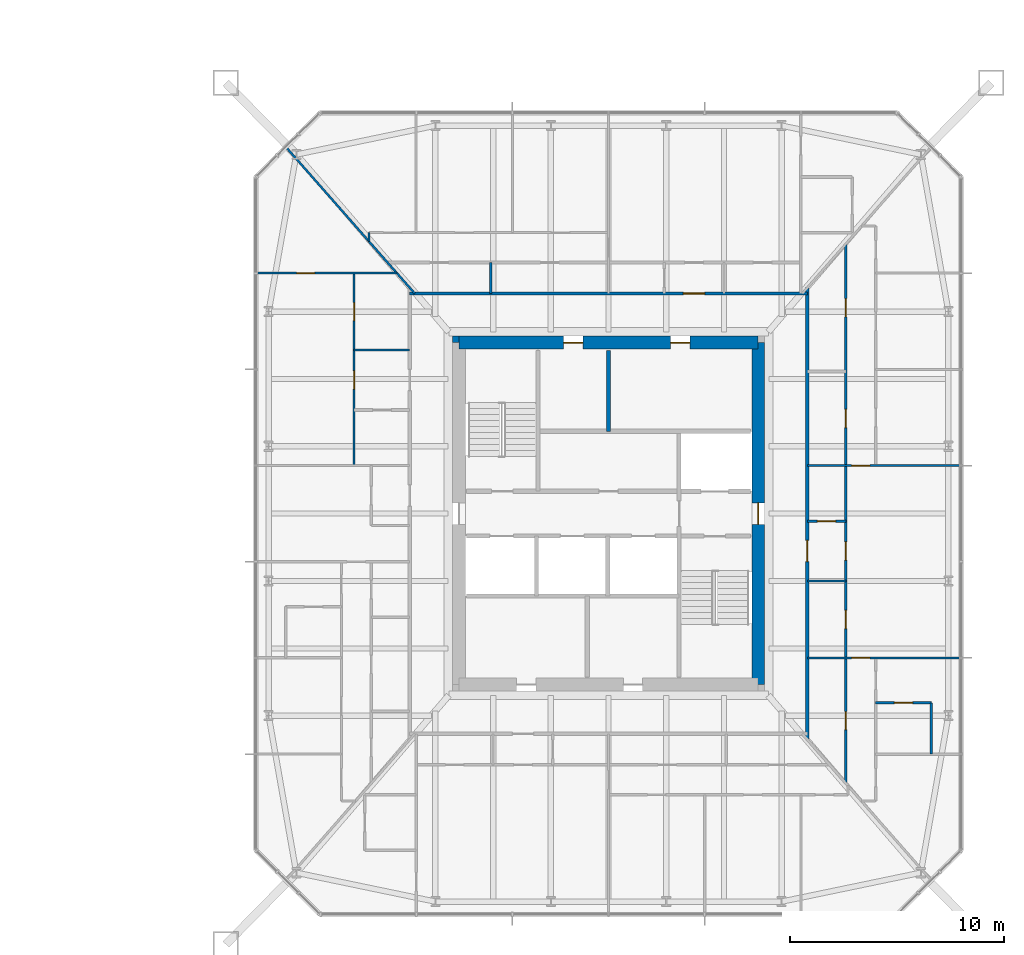
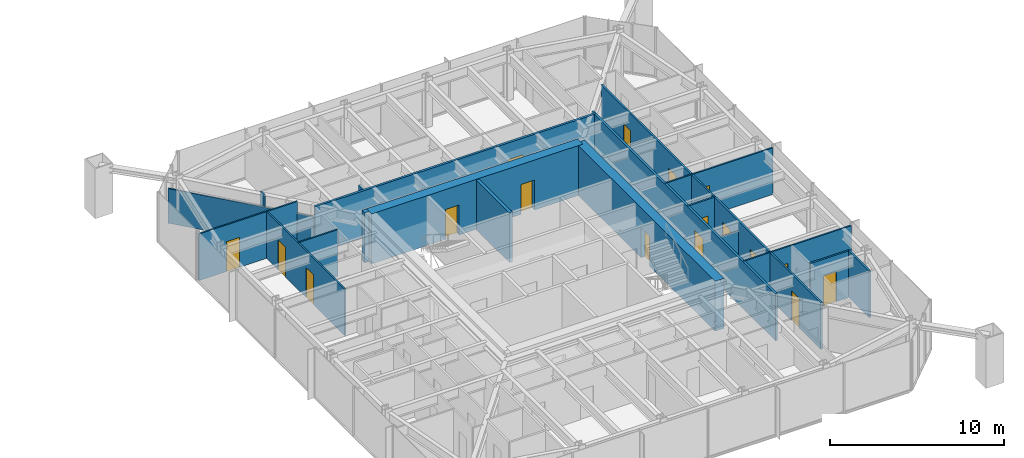
# One storey, part 20 of 26: 19 walls, 17 doors, 17 openings.
"""IFC4 building model written with IfcOpenShell, lengths in metres."""

import ifcopenshell
import ifcopenshell.guid

model = None  # the IFC model being written
_history = None  # IfcOwnerHistory: only IFC2X3 demands one
_inside = {}  # id of a spatial element -> (the spatial element, [elements in it])
_under = {}  # id of a project, library or spatial element -> (it, [spatial elements below it])
_declared = {}  # id of a project -> (the project, [libraries it declares])
_typed = {}  # id of a type object -> (the type object, [elements of that type])
_made_of = {}  # id of a material, layer set ... -> (it, [elements and type objects made of it])


def new_model(schema):
    """Start an empty IFC model of exactly this schema.

    Asked for "IFC4X3", IfcOpenShell would pick the latest addendum, in which some entities
    have other attributes; the version numbers below select the first issue.
    IFC2X3 requires an IfcOwnerHistory on every rooted entity: one is made here for all.
    """
    global model, _history
    if schema == "IFC4X3":
        model = ifcopenshell.file(schema_version=(4, 3, 0, 0))
    else:
        model = ifcopenshell.file(schema=schema)
    _inside.clear()
    _under.clear()
    _declared.clear()
    _typed.clear()
    _made_of.clear()
    _history = None
    if model.schema == "IFC2X3":
        org = make("IfcOrganization", Name="unknown")
        user = make(
            "IfcPersonAndOrganization",
            ThePerson=make("IfcPerson", FamilyName="unknown"),
            TheOrganization=org,
        )
        app = make(
            "IfcApplication",
            ApplicationDeveloper=org,
            Version="unknown",
            ApplicationFullName="unknown",
            ApplicationIdentifier="unknown",
        )
        _history = make(
            "IfcOwnerHistory",
            OwningUser=user,
            OwningApplication=app,
            ChangeAction="ADDED",
            CreationDate=0,
        )
    return model


def make(cls, **values):
    """One entity of the class cls with the attributes given. An attribute that is None is left unset."""
    return model.create_entity(
        cls, **{name: value for name, value in values.items() if value is not None}
    )


def rooted(cls, **values):
    """An entity with a GlobalId (a new one), such as an element, a storey or a relation."""
    return make(cls, GlobalId=ifcopenshell.guid.new(), OwnerHistory=_history, **values)


def si_unit(unit_type, name, prefix=None):
    """IfcSIUnit, for example si_unit("LENGTHUNIT", "METRE", prefix="MILLI")."""
    return make("IfcSIUnit", UnitType=unit_type, Prefix=prefix, Name=name)


def assignment(units):
    """IfcUnitAssignment: the units of a project."""
    return None if units is None else make("IfcUnitAssignment", Units=units)


def point(xyz):
    """IfcCartesianPoint."""
    return None if xyz is None else make("IfcCartesianPoint", Coordinates=xyz)


def direction(xyz):
    """IfcDirection."""
    return None if xyz is None else make("IfcDirection", DirectionRatios=xyz)


def frame(location, z_axis=None, x_axis=None):
    """IfcAxis2Placement3D, a coordinate frame: its origin and axes. An axis left out is left unset."""
    return make(
        "IfcAxis2Placement3D",
        Location=point(location),
        Axis=direction(z_axis),
        RefDirection=direction(x_axis),
    )


def frame_2d(location, x_axis=None):
    """IfcAxis2Placement2D, a coordinate frame in the plane: its origin and x axis."""
    return make(
        "IfcAxis2Placement2D", Location=point(location), RefDirection=direction(x_axis)
    )


def origin():
    """The frame at (0, 0, 0) with its axes left unset."""
    return frame((0.0, 0.0, 0.0))


def place(relative_to, where):
    """IfcLocalPlacement: puts the frame where relative to a parent placement (None: the world)."""
    return make(
        "IfcLocalPlacement", PlacementRelTo=relative_to, RelativePlacement=where
    )


def context(
    kind, dimensions, precision=None, world=None, true_north=None, identifier=None
):
    """IfcGeometricRepresentationContext, for example the 3D "Model" context."""
    return make(
        "IfcGeometricRepresentationContext",
        ContextIdentifier=identifier,
        ContextType=kind,
        CoordinateSpaceDimension=dimensions,
        Precision=precision,
        WorldCoordinateSystem=world,
        TrueNorth=true_north,
    )


def subcontext(parent, identifier, kind, view, scale=None):
    """IfcGeometricRepresentationSubContext, for example "Body" below "Model"."""
    return make(
        "IfcGeometricRepresentationSubContext",
        ContextIdentifier=identifier,
        ContextType=kind,
        ParentContext=parent,
        TargetScale=scale,
        TargetView=view,
    )


def project(units=None, contexts=None):
    """IfcProject with its units and contexts."""
    return rooted(
        "IfcProject",
        Name="project",
        RepresentationContexts=contexts,
        UnitsInContext=assignment(units),
    )


def spatial(cls, under=None, at=None, **own):
    """A site, building, storey or space (cls), placed at a placement, below another one or the project."""
    s = rooted(cls, ObjectPlacement=at, **own)
    if under is not None:
        _under.setdefault(under.id(), (under, []))[1].append(s)
    return s


def profile(cls, at=None, kind="AREA", **sizes):
    """A parametric profile (cls). Its sizes go by their IFC names, for example OverallWidth=200.0."""
    return make(cls, ProfileType=kind, Position=at, **sizes)


def rectangle(**sizes):
    """IfcRectangleProfileDef."""
    return profile("IfcRectangleProfileDef", **sizes)


def extrude(swept, where, along, depth):
    """IfcExtrudedAreaSolid: the profile swept, set in the frame where, extruded along a direction by depth."""
    return make(
        "IfcExtrudedAreaSolid",
        SweptArea=swept,
        Position=where,
        ExtrudedDirection=direction(along),
        Depth=depth,
    )


def shape(context_of_items, identifier, shape_type, items):
    """IfcShapeRepresentation: the items that make up one representation, for example the "Body"."""
    return make(
        "IfcShapeRepresentation",
        ContextOfItems=context_of_items,
        RepresentationIdentifier=identifier,
        RepresentationType=shape_type,
        Items=items,
    )


def material(Name=None, Category=None):
    """IfcMaterial."""
    return make("IfcMaterial", Name=Name, Category=Category)


def layer(
    of_material, thickness, ventilated=None, Name=None, Category=None, Priority=None
):
    """IfcMaterialLayer: one layer of a wall or slab, of a material (None: an air gap)."""
    return make(
        "IfcMaterialLayer",
        Material=of_material,
        LayerThickness=thickness,
        IsVentilated=ventilated,
        Name=Name,
        Category=Category,
        Priority=Priority,
    )


def layer_set(layers, Name=None):
    """IfcMaterialLayerSet."""
    return make("IfcMaterialLayerSet", MaterialLayers=layers, LayerSetName=Name)


def made_of(thing, what):
    """Note that an element or type object is made of a material, layer set ...; save() writes the relation."""
    if what is not None:
        _made_of.setdefault(what.id(), (what, []))[1].append(thing)
    return thing


def type_object(cls, material=None, **own):
    """A type object (cls), such as IfcWallType, which elements share."""
    return made_of(rooted(cls, **own), material)


def element(
    cls,
    number,
    at=None,
    inside=None,
    cuts=None,
    type_object=None,
    material=None,
    context=None,
    identifier="Body",
    shape_type=None,
    held_by="IfcProductDefinitionShape",
    body=None,
    shapes=None,
    **own,
):
    """One element of the class cls, such as IfcWall. Its Tag is "e" and its number.

    at: its placement. inside: the storey or other place that contains it. cuts: it is an
    opening in that element (IfcRelVoidsElement). A single representation is given by context,
    identifier, shape_type and body (its items); several are given by shapes. held_by: the class
    of the entity that holds the representations. save() writes the other relations.
    """
    e = rooted(cls, Tag="e%d" % number, ObjectPlacement=at, **own)
    if body is not None:
        shapes = [shape(context, identifier, shape_type, body)]
    if shapes is not None:
        e.Representation = make(held_by, Representations=shapes)
    if inside is not None:
        _inside.setdefault(inside.id(), (inside, []))[1].append(e)
    if cuts is not None:
        rooted(
            "IfcRelVoidsElement", RelatingBuildingElement=cuts, RelatedOpeningElement=e
        )
    if type_object is not None:
        _typed.setdefault(type_object.id(), (type_object, []))[1].append(e)
    return made_of(e, material)


def fill(opening, filler):
    """IfcRelFillsElement: the door or window that sits in an opening."""
    return rooted(
        "IfcRelFillsElement",
        RelatingOpeningElement=opening,
        RelatedBuildingElement=filler,
    )


def aggregate(whole, parts):
    """IfcRelAggregates: a whole, such as a stair, and the parts it consists of."""
    return rooted("IfcRelAggregates", RelatingObject=whole, RelatedObjects=parts)


def save(model, path):
    """Write the relations noted so far, then the file.

    IfcRelAggregates (storeys below a building ...), IfcRelContainedInSpatialStructure (elements
    in a storey), IfcRelDefinesByType, IfcRelAssociatesMaterial and IfcRelDeclares: one each for
    every whole, place, type object, material and project.
    """
    for whole, parts in _under.values():
        aggregate(whole, parts)
    for where, things in _inside.values():
        rooted(
            "IfcRelContainedInSpatialStructure",
            RelatedElements=things,
            RelatingStructure=where,
        )
    for kind, things in _typed.values():
        rooted("IfcRelDefinesByType", RelatedObjects=things, RelatingType=kind)
    for what, things in _made_of.values():
        rooted("IfcRelAssociatesMaterial", RelatedObjects=things, RelatingMaterial=what)
    for by, libraries in _declared.values():
        rooted("IfcRelDeclares", RelatingContext=by, RelatedDefinitions=libraries)
    model.write(path)


model = new_model("IFC4")

# Units and contexts
model_context = context("Model", 3, precision=1e-05, world=origin(), true_north=direction((0.0, 1.0)))
body_context = subcontext(model_context, "Body", "Model", "MODEL_VIEW")
ifc_project = project(units=[si_unit("LENGTHUNIT", "METRE"), si_unit("AREAUNIT", "SQUARE_METRE"), si_unit("VOLUMEUNIT", "CUBIC_METRE"), si_unit("PLANEANGLEUNIT", "RADIAN"), si_unit("MASSUNIT", "GRAM", prefix="KILO")], contexts=[model_context])

# Site, building, storey
site_placement = place(None, origin())
site = spatial("IfcSite", under=ifc_project, at=site_placement, CompositionType="ELEMENT")
building_placement = place(site_placement, origin())
building = spatial("IfcBuilding", under=site, at=building_placement, Name="Iwan Alto Co-Living Towers", CompositionType="ELEMENT")
storey_placement = place(building_placement, frame((0.0, 0.0, 50.0)))
storey = spatial("IfcBuildingStorey", under=building, at=storey_placement, Name="L13", CompositionType="ELEMENT", Elevation=50.0)

# Wall, opening, door
ifc_material_1 = material(Name="Gypsum board")
ifc_layer_1 = layer(ifc_material_1, 0.02490234375, Name="Board", Category="Finish")
ifc_material_2 = material(Name="Steel ASTM A1003 ST33H cold-formed studs", Category="steel")
ifc_layer_2 = layer(ifc_material_2, 0.10009765625, Name="Studs", Category="Framing")
ifc_layer_3 = layer(ifc_material_1, 0.02490234375, Name="Board", Category="Finish")
ifc_layer_set_1 = layer_set([ifc_layer_1, ifc_layer_2, ifc_layer_3], Name="CORRIDOR WALL 150")
wall_type_1 = type_object("IfcWallType", Name="CORRIDOR WALL 150", PredefinedType="PARTITIONING", material=ifc_layer_set_1)
wall_1_placement = place(storey_placement, frame((53.699951171875, 10.300048828125, 0.0), z_axis=(0.0, 0.0, 1.0), x_axis=(1.0, 0.0, 0.0)))
wall_1 = element("IfcWall", 1, at=wall_1_placement, inside=storey, type_object=wall_type_1, Name="Partition L13", PredefinedType="PARTITIONING", context=body_context, shape_type="SweptSolid", body=[
    extrude(rectangle(XDim=18.60009765625, YDim=0.14990234375, at=frame_2d((9.300048828125, 0.0))), origin(), (0.0, 0.0, 1.0), 3.27001953125),
])
opening_1_placement = place(wall_1_placement, frame((12.800048828125, 0.0, 0.0)))
opening_1 = element("IfcOpeningElement", 2, at=opening_1_placement, cuts=wall_1, Name="Opening D3", PredefinedType="OPENING", context=body_context, shape_type="SweptSolid", body=[
    extrude(rectangle(XDim=1.0, YDim=2.10009765625, at=frame_2d((0.5, 1.050048828125))), frame((0.0, 0.0849609375, 0.0), z_axis=(0.0, -1.0, 0.0), x_axis=(1.0, 0.0, 0.0)), (0.0, 0.0, 1.0), 0.169921875),
])
ifc_material_3 = material(Name="Steel frame with timber leaf", Category="steel")
door_type_1 = type_object("IfcDoorType", Name="FLAT ENTRANCE DOOR FD30S 1000X2100", OperationType="SINGLE_SWING_LEFT", PredefinedType="DOOR", material=ifc_material_3)
door_1_placement = place(opening_1_placement, origin())
door_1 = element("IfcDoor", 3, at=door_1_placement, inside=storey, type_object=door_type_1, Name="Apartment foyer door L13", OperationType="SINGLE_SWING_LEFT", OverallHeight=2.10009765625, OverallWidth=1.0, PredefinedType="DOOR", context=body_context, shape_type="SweptSolid", body=[
    extrude(rectangle(XDim=1.0, YDim=2.10009765625, at=frame_2d((0.5, 1.050048828125))), frame((0.0, 0.02490234375, 0.0), z_axis=(0.0, -1.0, 0.0), x_axis=(1.0, 0.0, 0.0)), (0.0, 0.0, 1.0), 0.050048828125),
])
fill(opening_1, door_1)

wall_2_placement = place(storey_placement, frame((72.300048828125, -10.568115234375, 0.0), z_axis=(0.0, 0.0, 1.0), x_axis=(0.0, 1.0, 0.0)))
wall_2 = element("IfcWall", 4, at=wall_2_placement, inside=storey, type_object=wall_type_1, Name="Partition L13", PredefinedType="PARTITIONING", context=body_context, shape_type="SweptSolid", body=[
    extrude(rectangle(XDim=21.13623046875, YDim=0.14990234375, at=frame_2d((10.568115234375, 0.0))), origin(), (0.0, 0.0, 1.0), 3.27001953125),
])
opening_2_placement = place(wall_2_placement, frame((8.318115234375, 0.0, 0.0)))
opening_2 = element("IfcOpeningElement", 5, at=opening_2_placement, cuts=wall_2, Name="Opening D3", PredefinedType="OPENING", context=body_context, shape_type="SweptSolid", body=[
    extrude(rectangle(XDim=1.0, YDim=2.10009765625, at=frame_2d((0.5, 1.050048828125))), frame((0.0, 0.0849609375, 0.0), z_axis=(0.0, -1.0, 0.0), x_axis=(1.0, 0.0, 0.0)), (0.0, 0.0, 1.0), 0.169921875),
])
door_2_placement = place(opening_2_placement, frame((1.0, 0.0, 0.0), z_axis=(0.0, 0.0, 1.0), x_axis=(-1.0, 0.0, 0.0)))
door_2 = element("IfcDoor", 6, at=door_2_placement, inside=storey, type_object=door_type_1, Name="Apartment foyer door L13", OperationType="SINGLE_SWING_RIGHT", OverallHeight=2.10009765625, OverallWidth=1.0, PredefinedType="DOOR", context=body_context, shape_type="SweptSolid", body=[
    extrude(rectangle(XDim=1.0, YDim=2.10009765625, at=frame_2d((0.5, 1.050048828125))), frame((0.0, 0.02490234375, 0.0), z_axis=(0.0, -1.0, 0.0), x_axis=(1.0, 0.0, 0.0)), (0.0, 0.0, 1.0), 0.050048828125),
])
fill(opening_2, door_2)

ifc_layer_4 = layer(ifc_material_1, 0.012451171875, Name="Board", Category="Finish")
ifc_layer_5 = layer(ifc_material_2, 0.074951171875, Name="Studs", Category="Framing")
ifc_layer_6 = layer(ifc_material_1, 0.012451171875, Name="Board", Category="Finish")
ifc_layer_set_2 = layer_set([ifc_layer_4, ifc_layer_5, ifc_layer_6], Name="PARTITION 100")
wall_type_2 = type_object("IfcWallType", Name="PARTITION 100", PredefinedType="PARTITIONING", material=ifc_layer_set_2)
wall_3_placement = place(storey_placement, frame((72.300048828125, -6.75, 0.0), z_axis=(0.0, 0.0, 1.0), x_axis=(1.0, 0.0, 0.0)))
wall_3 = element("IfcWall", 7, at=wall_3_placement, inside=storey, type_object=wall_type_2, Name="Partition L13", PredefinedType="PARTITIONING", context=body_context, shape_type="SweptSolid", body=[
    extrude(rectangle(XDim=7.139892578125, YDim=0.10009765625, at=frame_2d((3.56982421875, 0.0))), origin(), (0.0, 0.0, 1.0), 3.27001953125),
])
opening_3_placement = place(wall_3_placement, frame((2.074951171875, 0.0, 0.0)))
opening_3 = element("IfcOpeningElement", 8, at=opening_3_placement, cuts=wall_3, Name="Opening D2", PredefinedType="OPENING", context=body_context, shape_type="SweptSolid", body=[
    extrude(rectangle(XDim=0.85009765625, YDim=2.10009765625, at=frame_2d((0.425048828125, 1.050048828125))), frame((0.0, 0.06005859375, 0.0), z_axis=(0.0, -1.0, 0.0), x_axis=(1.0, 0.0, 0.0)), (0.0, 0.0, 1.0), 0.1201171875),
])
ifc_material_4 = material(Name="Timber leaf in steel frame", Category="steel")
door_type_2 = type_object("IfcDoorType", Name="ROOM DOOR 850X2100", OperationType="SINGLE_SWING_LEFT", PredefinedType="DOOR", material=ifc_material_4)
door_3_placement = place(opening_3_placement, origin())
door_3 = element("IfcDoor", 9, at=door_3_placement, inside=storey, type_object=door_type_2, Name="Apartment hall door L13", OperationType="SINGLE_SWING_LEFT", OverallHeight=2.10009765625, OverallWidth=0.85009765625, PredefinedType="DOOR", context=body_context, shape_type="SweptSolid", body=[
    extrude(rectangle(XDim=0.85009765625, YDim=2.10009765625, at=frame_2d((0.425048828125, 1.050048828125))), frame((0.0, 0.02490234375, 0.0), z_axis=(0.0, -1.0, 0.0), x_axis=(1.0, 0.0, 0.0)), (0.0, 0.0, 1.0), 0.050048828125),
])
fill(opening_3, door_3)

# Wall
wall_4_placement = place(storey_placement, frame((72.300048828125, -3.14990234375, 0.0), z_axis=(0.0, 0.0, 1.0), x_axis=(1.0, 0.0, 0.0)))
element("IfcWall", 10, at=wall_4_placement, inside=storey, type_object=wall_type_2, Name="Partition L13", PredefinedType="PARTITIONING", context=body_context, shape_type="SweptSolid", body=[
    extrude(rectangle(XDim=1.800048828125, YDim=0.10009765625, at=frame_2d((0.89990234375, 0.0))), origin(), (0.0, 0.0, 1.0), 2.586669921875),
])

# Wall, opening, door
wall_5_placement = place(storey_placement, frame((72.300048828125, 2.25, 0.0), z_axis=(0.0, 0.0, 1.0), x_axis=(1.0, 0.0, 0.0)))
wall_5 = element("IfcWall", 11, at=wall_5_placement, inside=storey, type_object=wall_type_2, Name="Partition L13", PredefinedType="PARTITIONING", context=body_context, shape_type="SweptSolid", body=[
    extrude(rectangle(XDim=7.139892578125, YDim=0.10009765625, at=frame_2d((3.56982421875, 0.0))), origin(), (0.0, 0.0, 1.0), 3.27001953125),
])
opening_4_placement = place(wall_5_placement, frame((2.074951171875, 0.0, 0.0)))
opening_4 = element("IfcOpeningElement", 12, at=opening_4_placement, cuts=wall_5, Name="Opening D2", PredefinedType="OPENING", context=body_context, shape_type="SweptSolid", body=[
    extrude(rectangle(XDim=0.85009765625, YDim=2.10009765625, at=frame_2d((0.425048828125, 1.050048828125))), frame((0.0, 0.06005859375, 0.0), z_axis=(0.0, -1.0, 0.0), x_axis=(1.0, 0.0, 0.0)), (0.0, 0.0, 1.0), 0.1201171875),
])
door_4_placement = place(opening_4_placement, frame((0.85009765625, 0.0, 0.0), z_axis=(0.0, 0.0, 1.0), x_axis=(-1.0, 0.0, 0.0)))
door_4 = element("IfcDoor", 13, at=door_4_placement, inside=storey, type_object=door_type_2, Name="Apartment hall door L13", OperationType="SINGLE_SWING_RIGHT", OverallHeight=2.10009765625, OverallWidth=0.85009765625, PredefinedType="DOOR", context=body_context, shape_type="SweptSolid", body=[
    extrude(rectangle(XDim=0.85009765625, YDim=2.10009765625, at=frame_2d((0.425048828125, 1.050048828125))), frame((0.0, 0.02490234375, 0.0), z_axis=(0.0, -1.0, 0.0), x_axis=(1.0, 0.0, 0.0)), (0.0, 0.0, 1.0), 0.050048828125),
])
fill(opening_4, door_4)

# Wall
wall_6_placement = place(storey_placement, frame((51.10009765625, 7.64990234375, 0.0), z_axis=(0.0, 0.0, 1.0), x_axis=(1.0, 0.0, 0.0)))
element("IfcWall", 14, at=wall_6_placement, inside=storey, type_object=wall_type_2, Name="Partition L13", PredefinedType="PARTITIONING", context=body_context, shape_type="SweptSolid", body=[
    extrude(rectangle(XDim=2.599853515625, YDim=0.10009765625, at=frame_2d((1.2998046875, 0.0))), origin(), (0.0, 0.0, 1.0), 3.27001953125),
])

# Wall, opening, door
wall_7_placement = place(storey_placement, frame((46.56005859375, 11.25, 0.0), z_axis=(0.0, 0.0, 1.0), x_axis=(1.0, 0.0, 0.0)))
wall_7 = element("IfcWall", 15, at=wall_7_placement, inside=storey, type_object=wall_type_2, Name="Partition L13", PredefinedType="PARTITIONING", context=body_context, shape_type="SweptSolid", body=[
    extrude(rectangle(XDim=6.5400390625, YDim=0.10009765625, at=frame_2d((3.27001953125, 0.0))), origin(), (0.0, 0.0, 1.0), 3.27001953125),
])
opening_5_placement = place(wall_7_placement, frame((1.844970703125, 0.0, 0.0)))
opening_5 = element("IfcOpeningElement", 16, at=opening_5_placement, cuts=wall_7, Name="Opening D2", PredefinedType="OPENING", context=body_context, shape_type="SweptSolid", body=[
    extrude(rectangle(XDim=0.85009765625, YDim=2.10009765625, at=frame_2d((0.425048828125, 1.050048828125))), frame((0.0, 0.06005859375, 0.0), z_axis=(0.0, -1.0, 0.0), x_axis=(1.0, 0.0, 0.0)), (0.0, 0.0, 1.0), 0.1201171875),
])
door_5_placement = place(opening_5_placement, frame((0.85009765625, 0.0, 0.0), z_axis=(0.0, 0.0, 1.0), x_axis=(-1.0, 0.0, 0.0)))
door_5 = element("IfcDoor", 17, at=door_5_placement, inside=storey, type_object=door_type_2, Name="Bedroom door L13", OperationType="SINGLE_SWING_LEFT", OverallHeight=2.10009765625, OverallWidth=0.85009765625, PredefinedType="DOOR", context=body_context, shape_type="SweptSolid", body=[
    extrude(rectangle(XDim=0.85009765625, YDim=2.10009765625, at=frame_2d((0.425048828125, 1.050048828125))), frame((0.0, 0.02490234375, 0.0), z_axis=(0.0, -1.0, 0.0), x_axis=(1.0, 0.0, 0.0)), (0.0, 0.0, 1.0), 0.050048828125),
])
fill(opening_5, door_5)

# Wall
wall_8_placement = place(storey_placement, frame((51.800048828125, 12.72705078125, 0.0), z_axis=(0.0, 0.0, 1.0), x_axis=(0.0, 1.0, 0.0)))
element("IfcWall", 18, at=wall_8_placement, inside=storey, type_object=wall_type_2, Name="Partition L13", PredefinedType="PARTITIONING", context=body_context, shape_type="SweptSolid", body=[
    extrude(rectangle(XDim=0.4228515625, YDim=0.10009765625, at=frame_2d((0.21142578125, 0.0))), origin(), (0.0, 0.0, 1.0), 3.27001953125),
])

# Wall, openings, doors
wall_9_placement = place(storey_placement, frame((51.10009765625, 2.25, 0.0), z_axis=(0.0, 0.0, 1.0), x_axis=(0.0, 1.0, 0.0)))
wall_9 = element("IfcWall", 19, at=wall_9_placement, inside=storey, type_object=wall_type_2, Name="Partition L13", PredefinedType="PARTITIONING", context=body_context, shape_type="SweptSolid", body=[
    extrude(rectangle(XDim=9.0, YDim=0.10009765625, at=frame_2d((4.5, 0.0))), origin(), (0.0, 0.0, 1.0), 3.27001953125),
])
opening_6_placement = place(wall_9_placement, frame((6.77490234375, 0.0, 0.0)))
opening_6 = element("IfcOpeningElement", 20, at=opening_6_placement, cuts=wall_9, Name="Opening D2", PredefinedType="OPENING", context=body_context, shape_type="SweptSolid", body=[
    extrude(rectangle(XDim=0.85009765625, YDim=2.10009765625, at=frame_2d((0.425048828125, 1.050048828125))), frame((0.0, 0.06005859375, 0.0), z_axis=(0.0, -1.0, 0.0), x_axis=(1.0, 0.0, 0.0)), (0.0, 0.0, 1.0), 0.1201171875),
])
opening_7_placement = place(wall_9_placement, frame((3.574951171875, 0.0, 0.0)))
opening_7 = element("IfcOpeningElement", 21, at=opening_7_placement, cuts=wall_9, Name="Opening D2", PredefinedType="OPENING", context=body_context, shape_type="SweptSolid", body=[
    extrude(rectangle(XDim=0.85009765625, YDim=2.10009765625, at=frame_2d((0.425048828125, 1.050048828125))), frame((0.0, 0.06005859375, 0.0), z_axis=(0.0, -1.0, 0.0), x_axis=(1.0, 0.0, 0.0)), (0.0, 0.0, 1.0), 0.1201171875),
])
door_6_placement = place(opening_6_placement, origin())
door_6 = element("IfcDoor", 22, at=door_6_placement, inside=storey, type_object=door_type_2, Name="Kitchen door L13", OperationType="SINGLE_SWING_RIGHT", OverallHeight=2.10009765625, OverallWidth=0.85009765625, PredefinedType="DOOR", context=body_context, shape_type="SweptSolid", body=[
    extrude(rectangle(XDim=0.85009765625, YDim=2.10009765625, at=frame_2d((0.425048828125, 1.050048828125))), frame((0.0, 0.02490234375, 0.0), z_axis=(0.0, -1.0, 0.0), x_axis=(1.0, 0.0, 0.0)), (0.0, 0.0, 1.0), 0.050048828125),
])
fill(opening_6, door_6)
door_7_placement = place(opening_7_placement, origin())
door_7 = element("IfcDoor", 23, at=door_7_placement, inside=storey, type_object=door_type_2, Name="Apartment foyer door L13", OperationType="SINGLE_SWING_LEFT", OverallHeight=2.10009765625, OverallWidth=0.85009765625, PredefinedType="DOOR", context=body_context, shape_type="SweptSolid", body=[
    extrude(rectangle(XDim=0.85009765625, YDim=2.10009765625, at=frame_2d((0.425048828125, 1.050048828125))), frame((0.0, 0.02490234375, 0.0), z_axis=(0.0, -1.0, 0.0), x_axis=(1.0, 0.0, 0.0)), (0.0, 0.0, 1.0), 0.050048828125),
])
fill(opening_7, door_7)

# Walls
wall_10_placement = place(storey_placement, frame((53.93603515625, 10.300048828125, 0.0), z_axis=(0.0, 0.0, 1.0), x_axis=(-0.660638210404, 0.750704439146, 0.0)))
element("IfcWall", 24, at=wall_10_placement, inside=storey, type_object=wall_type_2, Name="Partition L13", PredefinedType="PARTITIONING", context=body_context, shape_type="SweptSolid", body=[
    extrude(rectangle(XDim=9.06982421875, YDim=0.10009765625, at=frame_2d((4.534912109375, 0.0))), origin(), (0.0, 0.0, 1.0), 2.42919921875),
])
ifc_material_5 = material(Name="Concrete f'c 70 MPa", Category="concrete")
ifc_layer_7 = layer(ifc_material_5, 0.199951171875)
ifc_layer_set_3 = layer_set([ifc_layer_7], Name="SHAFT WALL 200")
wall_type_3 = type_object("IfcWallType", Name="SHAFT WALL 200", PredefinedType="SOLIDWALL", material=ifc_layer_set_3)
wall_11_placement = place(storey_placement, frame((63.0, 3.85009765625, 0.0), z_axis=(0.0, 0.0, 1.0), x_axis=(0.0, 1.0, 0.0)))
element("IfcWall", 25, at=wall_11_placement, inside=storey, type_object=wall_type_3, Name="Shaft wall L13", PredefinedType="SOLIDWALL", context=body_context, shape_type="SweptSolid", body=[
    extrude(rectangle(XDim=3.789794921875, YDim=0.199951171875, at=frame_2d((1.89501953125, 0.0))), origin(), (0.0, 0.0, 1.0), 3.5),
])
ifc_material_6 = material(Name="Concrete f'c 70 MPa", Category="concrete")
ifc_layer_8 = layer(ifc_material_6, 0.300048828125)
ifc_layer_set_4 = layer_set([ifc_layer_8], Name="T2 CORE CORNER FILL 300")
wall_type_4 = type_object("IfcWallType", Name="T2 CORE CORNER FILL 300", PredefinedType="SOLIDWALL", material=ifc_layer_set_4)
wall_12_placement = place(storey_placement, frame((55.699951171875, 8.14990234375, 0.0), z_axis=(0.0, 0.0, 1.0), x_axis=(1.0, 0.0, 0.0)))
element("IfcWall", 26, at=wall_12_placement, inside=storey, type_object=wall_type_4, Name="T2 core corner NW L13", PredefinedType="SOLIDWALL", context=body_context, shape_type="SweptSolid", body=[
    extrude(rectangle(XDim=0.300048828125, YDim=0.300048828125, at=frame_2d((0.14990234375, 0.0))), origin(), (0.0, 0.0, 1.0), 3.5),
])

# Wall, openings, doors
ifc_material_7 = material(Name="Concrete f'c 70 MPa", Category="concrete")
ifc_layer_9 = layer(ifc_material_7, 0.60009765625)
ifc_layer_set_5 = layer_set([ifc_layer_9], Name="T2 CORE WALL 600")
wall_type_5 = type_object("IfcWallType", Name="T2 CORE WALL 600", PredefinedType="SHEAR", material=ifc_layer_set_5)
wall_13_placement = place(storey_placement, frame((70.0, 8.0, 0.0), z_axis=(0.0, 0.0, 1.0), x_axis=(-1.0, 0.0, 0.0)))
wall_13 = element("IfcWall", 27, at=wall_13_placement, inside=storey, type_object=wall_type_5, Name="T2 core wall N L13", PredefinedType="SHEAR", context=body_context, shape_type="SweptSolid", body=[
    extrude(rectangle(XDim=14.0, YDim=0.60009765625, at=frame_2d((7.0, 0.0))), origin(), (0.0, 0.0, 1.0), 3.5),
])
opening_8_placement = place(wall_13_placement, frame((8.199951171875, 0.0, 0.0)))
opening_8 = element("IfcOpeningElement", 28, at=opening_8_placement, cuts=wall_13, Name="Opening D8", PredefinedType="OPENING", context=body_context, shape_type="SweptSolid", body=[
    extrude(rectangle(XDim=0.89990234375, YDim=2.10009765625, at=frame_2d((0.449951171875, 1.050048828125))), frame((0.0, 0.31005859375, 0.0), z_axis=(0.0, -1.0, 0.0), x_axis=(1.0, 0.0, 0.0)), (0.0, 0.0, 1.0), 0.6201171875),
])
opening_9_placement = place(wall_13_placement, frame((3.199951171875, 0.0, 0.0)))
opening_9 = element("IfcOpeningElement", 29, at=opening_9_placement, cuts=wall_13, Name="Opening D8", PredefinedType="OPENING", context=body_context, shape_type="SweptSolid", body=[
    extrude(rectangle(XDim=0.89990234375, YDim=2.10009765625, at=frame_2d((0.449951171875, 1.050048828125))), frame((0.0, 0.31005859375, 0.0), z_axis=(0.0, -1.0, 0.0), x_axis=(1.0, 0.0, 0.0)), (0.0, 0.0, 1.0), 0.6201171875),
])
ifc_material_8 = material(Name="Steel frame with timber leaf", Category="steel")
door_type_3 = type_object("IfcDoorType", Name="RISER DOOR FD120 900X2100", OperationType="SINGLE_SWING_LEFT", PredefinedType="DOOR", material=ifc_material_8)
door_8_placement = place(opening_8_placement, origin())
door_8 = element("IfcDoor", 30, at=door_8_placement, inside=storey, type_object=door_type_3, Name="Electrical riser core door L13", OperationType="SINGLE_SWING_RIGHT", OverallHeight=2.10009765625, OverallWidth=0.89990234375, PredefinedType="DOOR", context=body_context, shape_type="SweptSolid", body=[
    extrude(rectangle(XDim=0.89990234375, YDim=2.10009765625, at=frame_2d((0.449951171875, 1.050048828125))), frame((0.0, 0.02490234375, 0.0), z_axis=(0.0, -1.0, 0.0), x_axis=(1.0, 0.0, 0.0)), (0.0, 0.0, 1.0), 0.050048828125),
])
fill(opening_8, door_8)
door_9_placement = place(opening_9_placement, origin())
door_9 = element("IfcDoor", 31, at=door_9_placement, inside=storey, type_object=door_type_3, Name="Water and drainage riser core door L13", OperationType="SINGLE_SWING_RIGHT", OverallHeight=2.10009765625, OverallWidth=0.89990234375, PredefinedType="DOOR", context=body_context, shape_type="SweptSolid", body=[
    extrude(rectangle(XDim=0.89990234375, YDim=2.10009765625, at=frame_2d((0.449951171875, 1.050048828125))), frame((0.0, 0.02490234375, 0.0), z_axis=(0.0, -1.0, 0.0), x_axis=(1.0, 0.0, 0.0)), (0.0, 0.0, 1.0), 0.050048828125),
])
fill(opening_9, door_9)

# Wall, opening, door
wall_14_placement = place(storey_placement, frame((70.0, -8.0, 0.0), z_axis=(0.0, 0.0, 1.0), x_axis=(0.0, 1.0, 0.0)))
wall_14 = element("IfcWall", 32, at=wall_14_placement, inside=storey, type_object=wall_type_5, Name="T2 core wall E L13", PredefinedType="SHEAR", context=body_context, shape_type="SweptSolid", body=[
    extrude(rectangle(XDim=16.0, YDim=0.60009765625, at=frame_2d((8.0, 0.0))), origin(), (0.0, 0.0, 1.0), 3.5),
])
opening_10_placement = place(wall_14_placement, frame((7.5, 0.0, 0.0)))
opening_10 = element("IfcOpeningElement", 33, at=opening_10_placement, cuts=wall_14, Name="Opening D7", PredefinedType="OPENING", context=body_context, shape_type="SweptSolid", body=[
    extrude(rectangle(XDim=1.0, YDim=2.10009765625, at=frame_2d((0.5, 1.050048828125))), frame((0.0, 0.31005859375, 0.0), z_axis=(0.0, -1.0, 0.0), x_axis=(1.0, 0.0, 0.0)), (0.0, 0.0, 1.0), 0.6201171875),
])
ifc_material_9 = material(Name="Steel frame with timber leaf", Category="steel")
door_type_4 = type_object("IfcDoorType", Name="CORE DOOR FD120S 1000X2100", OperationType="SINGLE_SWING_LEFT", PredefinedType="DOOR", material=ifc_material_9)
door_10_placement = place(opening_10_placement, origin())
door_10 = element("IfcDoor", 34, at=door_10_placement, inside=storey, type_object=door_type_4, Name="Firefighting lobby core door L13", OperationType="SINGLE_SWING_LEFT", OverallHeight=2.10009765625, OverallWidth=1.0, PredefinedType="DOOR", context=body_context, shape_type="SweptSolid", body=[
    extrude(rectangle(XDim=1.0, YDim=2.10009765625, at=frame_2d((0.5, 1.050048828125))), frame((0.0, 0.02490234375, 0.0), z_axis=(0.0, -1.0, 0.0), x_axis=(1.0, 0.0, 0.0)), (0.0, 0.0, 1.0), 0.050048828125),
])
fill(opening_10, door_10)

ifc_material_10 = material(Name="Cement board")
ifc_layer_10 = layer(ifc_material_10, 0.012451171875, Name="Board", Category="Finish")
ifc_layer_11 = layer(ifc_material_2, 0.094970703125, Name="Studs", Category="Framing")
ifc_layer_12 = layer(ifc_material_10, 0.012451171875, Name="Board", Category="Finish")
ifc_layer_set_6 = layer_set([ifc_layer_10, ifc_layer_11, ifc_layer_12], Name="WET AREA PARTITION 120")
wall_type_6 = type_object("IfcWallType", Name="WET AREA PARTITION 120", PredefinedType="PARTITIONING", material=ifc_layer_set_6)
wall_15_placement = place(storey_placement, frame((75.5, -8.85009765625, 0.0), z_axis=(0.0, 0.0, 1.0), x_axis=(1.0, 0.0, 0.0)))
wall_15 = element("IfcWall", 35, at=wall_15_placement, inside=storey, type_object=wall_type_6, Name="Partition L13", PredefinedType="PARTITIONING", context=body_context, shape_type="SweptSolid", body=[
    extrude(rectangle(XDim=2.60009765625, YDim=0.1201171875, at=frame_2d((1.300048828125, 0.0))), origin(), (0.0, 0.0, 1.0), 3.27001953125),
])
opening_11_placement = place(wall_15_placement, frame((0.875, 0.0, 0.0)))
opening_11 = element("IfcOpeningElement", 36, at=opening_11_placement, cuts=wall_15, Name="Opening D2", PredefinedType="OPENING", context=body_context, shape_type="SweptSolid", body=[
    extrude(rectangle(XDim=0.85009765625, YDim=2.10009765625, at=frame_2d((0.425048828125, 1.050048828125))), frame((0.0, 0.070068359375, 0.0), z_axis=(0.0, -1.0, 0.0), x_axis=(1.0, 0.0, 0.0)), (0.0, 0.0, 1.0), 0.14013671875),
])
door_11_placement = place(opening_11_placement, origin())
door_11 = element("IfcDoor", 37, at=door_11_placement, inside=storey, type_object=door_type_2, Name="En-suite shower room door L13", OperationType="SINGLE_SWING_LEFT", OverallHeight=2.10009765625, OverallWidth=0.85009765625, PredefinedType="DOOR", context=body_context, shape_type="SweptSolid", body=[
    extrude(rectangle(XDim=0.85009765625, YDim=2.10009765625, at=frame_2d((0.425048828125, 1.050048828125))), frame((0.0, 0.02490234375, 0.0), z_axis=(0.0, -1.0, 0.0), x_axis=(1.0, 0.0, 0.0)), (0.0, 0.0, 1.0), 0.050048828125),
])
fill(opening_11, door_11)

wall_16_placement = place(storey_placement, frame((72.300048828125, -0.35009765625, 0.0), z_axis=(0.0, 0.0, 1.0), x_axis=(1.0, 0.0, 0.0)))
wall_16 = element("IfcWall", 38, at=wall_16_placement, inside=storey, type_object=wall_type_6, Name="Partition L13", PredefinedType="PARTITIONING", context=body_context, shape_type="SweptSolid", body=[
    extrude(rectangle(XDim=1.800048828125, YDim=0.1201171875, at=frame_2d((0.89990234375, 0.0))), origin(), (0.0, 0.0, 1.0), 3.27001953125),
])
opening_12_placement = place(wall_16_placement, frame((0.47509765625, 0.0, 0.0)))
opening_12 = element("IfcOpeningElement", 39, at=opening_12_placement, cuts=wall_16, Name="Opening D2", PredefinedType="OPENING", context=body_context, shape_type="SweptSolid", body=[
    extrude(rectangle(XDim=0.85009765625, YDim=2.10009765625, at=frame_2d((0.425048828125, 1.050048828125))), frame((0.0, 0.070068359375, 0.0), z_axis=(0.0, -1.0, 0.0), x_axis=(1.0, 0.0, 0.0)), (0.0, 0.0, 1.0), 0.14013671875),
])
door_12_placement = place(opening_12_placement, origin())
door_12 = element("IfcDoor", 40, at=door_12_placement, inside=storey, type_object=door_type_2, Name="Bathroom door L13", OperationType="SINGLE_SWING_LEFT", OverallHeight=2.10009765625, OverallWidth=0.85009765625, PredefinedType="DOOR", context=body_context, shape_type="SweptSolid", body=[
    extrude(rectangle(XDim=0.85009765625, YDim=2.10009765625, at=frame_2d((0.425048828125, 1.050048828125))), frame((0.0, 0.02490234375, 0.0), z_axis=(0.0, -1.0, 0.0), x_axis=(1.0, 0.0, 0.0)), (0.0, 0.0, 1.0), 0.050048828125),
])
fill(opening_12, door_12)

# Wall
wall_17_placement = place(storey_placement, frame((78.10009765625, -11.25, 0.0), z_axis=(0.0, 0.0, 1.0), x_axis=(0.0, 1.0, 0.0)))
element("IfcWall", 41, at=wall_17_placement, inside=storey, type_object=wall_type_6, Name="Partition L13", PredefinedType="PARTITIONING", context=body_context, shape_type="SweptSolid", body=[
    extrude(rectangle(XDim=2.39990234375, YDim=0.1201171875, at=frame_2d((1.199951171875, 0.0))), origin(), (0.0, 0.0, 1.0), 3.27001953125),
])

# Wall, openings, doors
wall_18_placement = place(storey_placement, frame((74.10009765625, -12.614013671875, 0.0), z_axis=(0.0, 0.0, 1.0), x_axis=(0.0, 1.0, 0.0)))
wall_18 = element("IfcWall", 42, at=wall_18_placement, inside=storey, type_object=wall_type_6, Name="Partition L13", PredefinedType="PARTITIONING", context=body_context, shape_type="SweptSolid", body=[
    extrude(rectangle(XDim=25.22802734375, YDim=0.1201171875, at=frame_2d((12.614013671875, 0.0))), origin(), (0.0, 0.0, 1.0), 3.27001953125),
])
opening_13_placement = place(wall_18_placement, frame((7.239013671875, 0.0, 0.0)))
opening_13 = element("IfcOpeningElement", 43, at=opening_13_placement, cuts=wall_18, Name="Opening D2", PredefinedType="OPENING", context=body_context, shape_type="SweptSolid", body=[
    extrude(rectangle(XDim=0.85009765625, YDim=2.10009765625, at=frame_2d((0.425048828125, 1.050048828125))), frame((0.0, 0.070068359375, 0.0), z_axis=(0.0, -1.0, 0.0), x_axis=(1.0, 0.0, 0.0)), (0.0, 0.0, 1.0), 0.14013671875),
])
opening_14_placement = place(wall_18_placement, frame((10.43896484375, 0.0, 0.0)))
opening_14 = element("IfcOpeningElement", 44, at=opening_14_placement, cuts=wall_18, Name="Opening D2", PredefinedType="OPENING", context=body_context, shape_type="SweptSolid", body=[
    extrude(rectangle(XDim=0.85009765625, YDim=2.10009765625, at=frame_2d((0.425048828125, 1.050048828125))), frame((0.0, 0.070068359375, 0.0), z_axis=(0.0, -1.0, 0.0), x_axis=(1.0, 0.0, 0.0)), (0.0, 0.0, 1.0), 0.14013671875),
])
opening_15_placement = place(wall_18_placement, frame((2.507080078125, 0.0, 0.0)))
opening_15 = element("IfcOpeningElement", 45, at=opening_15_placement, cuts=wall_18, Name="Opening D2", PredefinedType="OPENING", context=body_context, shape_type="SweptSolid", body=[
    extrude(rectangle(XDim=0.85009765625, YDim=2.10009765625, at=frame_2d((0.425048828125, 1.050048828125))), frame((0.0, 0.070068359375, 0.0), z_axis=(0.0, -1.0, 0.0), x_axis=(1.0, 0.0, 0.0)), (0.0, 0.0, 1.0), 0.14013671875),
])
opening_16_placement = place(wall_18_placement, frame((16.638916015625, 0.0, 0.0)))
opening_16 = element("IfcOpeningElement", 46, at=opening_16_placement, cuts=wall_18, Name="Opening D2", PredefinedType="OPENING", context=body_context, shape_type="SweptSolid", body=[
    extrude(rectangle(XDim=0.85009765625, YDim=2.10009765625, at=frame_2d((0.425048828125, 1.050048828125))), frame((0.0, 0.070068359375, 0.0), z_axis=(0.0, -1.0, 0.0), x_axis=(1.0, 0.0, 0.0)), (0.0, 0.0, 1.0), 0.14013671875),
])
opening_17_placement = place(wall_18_placement, frame((21.821044921875, 0.0, 0.0)))
opening_17 = element("IfcOpeningElement", 47, at=opening_17_placement, cuts=wall_18, Name="Opening D2", PredefinedType="OPENING", context=body_context, shape_type="SweptSolid", body=[
    extrude(rectangle(XDim=0.85009765625, YDim=2.10009765625, at=frame_2d((0.425048828125, 1.050048828125))), frame((0.0, 0.070068359375, 0.0), z_axis=(0.0, -1.0, 0.0), x_axis=(1.0, 0.0, 0.0)), (0.0, 0.0, 1.0), 0.14013671875),
])
door_13_placement = place(opening_13_placement, frame((0.85009765625, 0.0, 0.0), z_axis=(0.0, 0.0, 1.0), x_axis=(-1.0, 0.0, 0.0)))
door_13 = element("IfcDoor", 48, at=door_13_placement, inside=storey, type_object=door_type_2, Name="Kitchen door L13", OperationType="SINGLE_SWING_RIGHT", OverallHeight=2.10009765625, OverallWidth=0.85009765625, PredefinedType="DOOR", context=body_context, shape_type="SweptSolid", body=[
    extrude(rectangle(XDim=0.85009765625, YDim=2.10009765625, at=frame_2d((0.425048828125, 1.050048828125))), frame((0.0, 0.02490234375, 0.0), z_axis=(0.0, -1.0, 0.0), x_axis=(1.0, 0.0, 0.0)), (0.0, 0.0, 1.0), 0.050048828125),
])
fill(opening_13, door_13)
door_14_placement = place(opening_14_placement, frame((0.85009765625, 0.0, 0.0), z_axis=(0.0, 0.0, 1.0), x_axis=(-1.0, 0.0, 0.0)))
door_14 = element("IfcDoor", 49, at=door_14_placement, inside=storey, type_object=door_type_2, Name="Apartment foyer door L13", OperationType="SINGLE_SWING_LEFT", OverallHeight=2.10009765625, OverallWidth=0.85009765625, PredefinedType="DOOR", context=body_context, shape_type="SweptSolid", body=[
    extrude(rectangle(XDim=0.85009765625, YDim=2.10009765625, at=frame_2d((0.425048828125, 1.050048828125))), frame((0.0, 0.02490234375, 0.0), z_axis=(0.0, -1.0, 0.0), x_axis=(1.0, 0.0, 0.0)), (0.0, 0.0, 1.0), 0.050048828125),
])
fill(opening_14, door_14)
door_15_placement = place(opening_15_placement, origin())
door_15 = element("IfcDoor", 50, at=door_15_placement, inside=storey, type_object=door_type_2, Name="Utility room door L13", OperationType="SINGLE_SWING_LEFT", OverallHeight=2.10009765625, OverallWidth=0.85009765625, PredefinedType="DOOR", context=body_context, shape_type="SweptSolid", body=[
    extrude(rectangle(XDim=0.85009765625, YDim=2.10009765625, at=frame_2d((0.425048828125, 1.050048828125))), frame((0.0, 0.02490234375, 0.0), z_axis=(0.0, -1.0, 0.0), x_axis=(1.0, 0.0, 0.0)), (0.0, 0.0, 1.0), 0.050048828125),
])
fill(opening_15, door_15)
door_16_placement = place(opening_16_placement, origin())
door_16 = element("IfcDoor", 51, at=door_16_placement, inside=storey, type_object=door_type_2, Name="Utility room door L13", OperationType="SINGLE_SWING_LEFT", OverallHeight=2.10009765625, OverallWidth=0.85009765625, PredefinedType="DOOR", context=body_context, shape_type="SweptSolid", body=[
    extrude(rectangle(XDim=0.85009765625, YDim=2.10009765625, at=frame_2d((0.425048828125, 1.050048828125))), frame((0.0, 0.02490234375, 0.0), z_axis=(0.0, -1.0, 0.0), x_axis=(1.0, 0.0, 0.0)), (0.0, 0.0, 1.0), 0.050048828125),
])
fill(opening_16, door_16)
door_17_placement = place(opening_17_placement, origin())
door_17 = element("IfcDoor", 52, at=door_17_placement, inside=storey, type_object=door_type_2, Name="Store room door L13", OperationType="SINGLE_SWING_RIGHT", OverallHeight=2.10009765625, OverallWidth=0.85009765625, PredefinedType="DOOR", context=body_context, shape_type="SweptSolid", body=[
    extrude(rectangle(XDim=0.85009765625, YDim=2.10009765625, at=frame_2d((0.425048828125, 1.050048828125))), frame((0.0, 0.02490234375, 0.0), z_axis=(0.0, -1.0, 0.0), x_axis=(1.0, 0.0, 0.0)), (0.0, 0.0, 1.0), 0.050048828125),
])
fill(opening_17, door_17)

# Wall
wall_19_placement = place(storey_placement, frame((57.5, 10.300048828125, 0.0), z_axis=(0.0, 0.0, 1.0), x_axis=(0.0, 1.0, 0.0)))
element("IfcWall", 53, at=wall_19_placement, inside=storey, type_object=wall_type_6, Name="Partition L13", PredefinedType="PARTITIONING", context=body_context, shape_type="SweptSolid", body=[
    extrude(rectangle(XDim=1.449951171875, YDim=0.1201171875, at=frame_2d((0.72509765625, 0.0))), origin(), (0.0, 0.0, 1.0), 2.586669921875),
])

save(model, "model.ifc")
